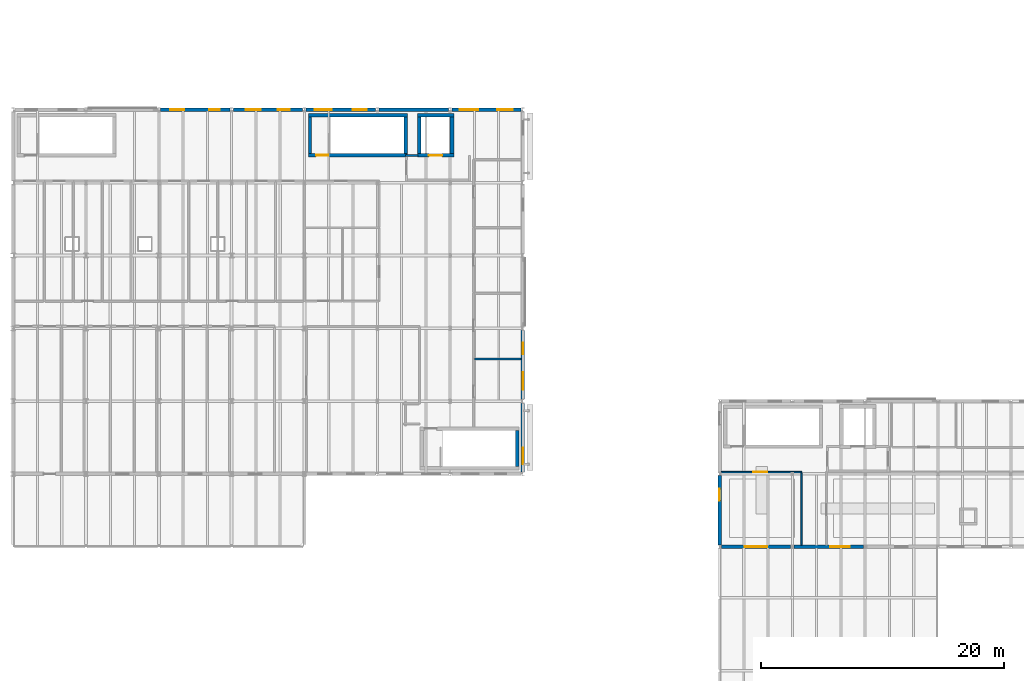
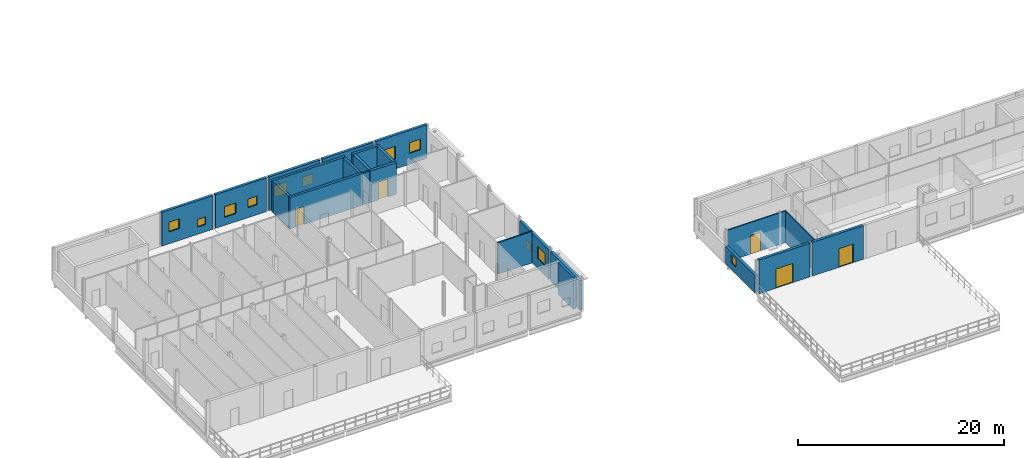
# One storey, part 33 of 45: 23 walls, 12 windows, 5 doors, 17 openings.
"""IFC4 building model written with IfcOpenShell, lengths in metres."""

import ifcopenshell
import ifcopenshell.guid

model = None  # the IFC model being written
_history = None  # IfcOwnerHistory: only IFC2X3 demands one
_inside = {}  # id of a spatial element -> (the spatial element, [elements in it])
_under = {}  # id of a project, library or spatial element -> (it, [spatial elements below it])
_declared = {}  # id of a project -> (the project, [libraries it declares])
_typed = {}  # id of a type object -> (the type object, [elements of that type])
_made_of = {}  # id of a material, layer set ... -> (it, [elements and type objects made of it])


def new_model(schema):
    """Start an empty IFC model of exactly this schema.

    Asked for "IFC4X3", IfcOpenShell would pick the latest addendum, in which some entities
    have other attributes; the version numbers below select the first issue.
    IFC2X3 requires an IfcOwnerHistory on every rooted entity: one is made here for all.
    """
    global model, _history
    if schema == "IFC4X3":
        model = ifcopenshell.file(schema_version=(4, 3, 0, 0))
    else:
        model = ifcopenshell.file(schema=schema)
    _inside.clear()
    _under.clear()
    _declared.clear()
    _typed.clear()
    _made_of.clear()
    _history = None
    if model.schema == "IFC2X3":
        org = make("IfcOrganization", Name="unknown")
        user = make(
            "IfcPersonAndOrganization",
            ThePerson=make("IfcPerson", FamilyName="unknown"),
            TheOrganization=org,
        )
        app = make(
            "IfcApplication",
            ApplicationDeveloper=org,
            Version="unknown",
            ApplicationFullName="unknown",
            ApplicationIdentifier="unknown",
        )
        _history = make(
            "IfcOwnerHistory",
            OwningUser=user,
            OwningApplication=app,
            ChangeAction="ADDED",
            CreationDate=0,
        )
    return model


def make(cls, **values):
    """One entity of the class cls with the attributes given. An attribute that is None is left unset."""
    return model.create_entity(
        cls, **{name: value for name, value in values.items() if value is not None}
    )


def rooted(cls, **values):
    """An entity with a GlobalId (a new one), such as an element, a storey or a relation."""
    return make(cls, GlobalId=ifcopenshell.guid.new(), OwnerHistory=_history, **values)


def si_unit(unit_type, name, prefix=None):
    """IfcSIUnit, for example si_unit("LENGTHUNIT", "METRE", prefix="MILLI")."""
    return make("IfcSIUnit", UnitType=unit_type, Prefix=prefix, Name=name)


def assignment(units):
    """IfcUnitAssignment: the units of a project."""
    return None if units is None else make("IfcUnitAssignment", Units=units)


def point(xyz):
    """IfcCartesianPoint."""
    return None if xyz is None else make("IfcCartesianPoint", Coordinates=xyz)


def direction(xyz):
    """IfcDirection."""
    return None if xyz is None else make("IfcDirection", DirectionRatios=xyz)


def frame(location, z_axis=None, x_axis=None):
    """IfcAxis2Placement3D, a coordinate frame: its origin and axes. An axis left out is left unset."""
    return make(
        "IfcAxis2Placement3D",
        Location=point(location),
        Axis=direction(z_axis),
        RefDirection=direction(x_axis),
    )


def frame_2d(location, x_axis=None):
    """IfcAxis2Placement2D, a coordinate frame in the plane: its origin and x axis."""
    return make(
        "IfcAxis2Placement2D", Location=point(location), RefDirection=direction(x_axis)
    )


def origin():
    """The frame at (0, 0, 0) with its axes left unset."""
    return frame((0.0, 0.0, 0.0))


def place(relative_to, where):
    """IfcLocalPlacement: puts the frame where relative to a parent placement (None: the world)."""
    return make(
        "IfcLocalPlacement", PlacementRelTo=relative_to, RelativePlacement=where
    )


def context(
    kind, dimensions, precision=None, world=None, true_north=None, identifier=None
):
    """IfcGeometricRepresentationContext, for example the 3D "Model" context."""
    return make(
        "IfcGeometricRepresentationContext",
        ContextIdentifier=identifier,
        ContextType=kind,
        CoordinateSpaceDimension=dimensions,
        Precision=precision,
        WorldCoordinateSystem=world,
        TrueNorth=true_north,
    )


def subcontext(parent, identifier, kind, view, scale=None):
    """IfcGeometricRepresentationSubContext, for example "Body" below "Model"."""
    return make(
        "IfcGeometricRepresentationSubContext",
        ContextIdentifier=identifier,
        ContextType=kind,
        ParentContext=parent,
        TargetScale=scale,
        TargetView=view,
    )


def project(units=None, contexts=None):
    """IfcProject with its units and contexts."""
    return rooted(
        "IfcProject",
        Name="project",
        RepresentationContexts=contexts,
        UnitsInContext=assignment(units),
    )


def spatial(cls, under=None, at=None, **own):
    """A site, building, storey or space (cls), placed at a placement, below another one or the project."""
    s = rooted(cls, ObjectPlacement=at, **own)
    if under is not None:
        _under.setdefault(under.id(), (under, []))[1].append(s)
    return s


def profile(cls, at=None, kind="AREA", **sizes):
    """A parametric profile (cls). Its sizes go by their IFC names, for example OverallWidth=200.0."""
    return make(cls, ProfileType=kind, Position=at, **sizes)


def rectangle(**sizes):
    """IfcRectangleProfileDef."""
    return profile("IfcRectangleProfileDef", **sizes)


def extrude(swept, where, along, depth):
    """IfcExtrudedAreaSolid: the profile swept, set in the frame where, extruded along a direction by depth."""
    return make(
        "IfcExtrudedAreaSolid",
        SweptArea=swept,
        Position=where,
        ExtrudedDirection=direction(along),
        Depth=depth,
    )


def shape(context_of_items, identifier, shape_type, items):
    """IfcShapeRepresentation: the items that make up one representation, for example the "Body"."""
    return make(
        "IfcShapeRepresentation",
        ContextOfItems=context_of_items,
        RepresentationIdentifier=identifier,
        RepresentationType=shape_type,
        Items=items,
    )


def material(Name=None, Category=None):
    """IfcMaterial."""
    return make("IfcMaterial", Name=Name, Category=Category)


def layer(
    of_material, thickness, ventilated=None, Name=None, Category=None, Priority=None
):
    """IfcMaterialLayer: one layer of a wall or slab, of a material (None: an air gap)."""
    return make(
        "IfcMaterialLayer",
        Material=of_material,
        LayerThickness=thickness,
        IsVentilated=ventilated,
        Name=Name,
        Category=Category,
        Priority=Priority,
    )


def layer_set(layers, Name=None):
    """IfcMaterialLayerSet."""
    return make("IfcMaterialLayerSet", MaterialLayers=layers, LayerSetName=Name)


def made_of(thing, what):
    """Note that an element or type object is made of a material, layer set ...; save() writes the relation."""
    if what is not None:
        _made_of.setdefault(what.id(), (what, []))[1].append(thing)
    return thing


def type_object(cls, material=None, **own):
    """A type object (cls), such as IfcWallType, which elements share."""
    return made_of(rooted(cls, **own), material)


def element(
    cls,
    number,
    at=None,
    inside=None,
    cuts=None,
    type_object=None,
    material=None,
    context=None,
    identifier="Body",
    shape_type=None,
    held_by="IfcProductDefinitionShape",
    body=None,
    shapes=None,
    **own,
):
    """One element of the class cls, such as IfcWall. Its Tag is "e" and its number.

    at: its placement. inside: the storey or other place that contains it. cuts: it is an
    opening in that element (IfcRelVoidsElement). A single representation is given by context,
    identifier, shape_type and body (its items); several are given by shapes. held_by: the class
    of the entity that holds the representations. save() writes the other relations.
    """
    e = rooted(cls, Tag="e%d" % number, ObjectPlacement=at, **own)
    if body is not None:
        shapes = [shape(context, identifier, shape_type, body)]
    if shapes is not None:
        e.Representation = make(held_by, Representations=shapes)
    if inside is not None:
        _inside.setdefault(inside.id(), (inside, []))[1].append(e)
    if cuts is not None:
        rooted(
            "IfcRelVoidsElement", RelatingBuildingElement=cuts, RelatedOpeningElement=e
        )
    if type_object is not None:
        _typed.setdefault(type_object.id(), (type_object, []))[1].append(e)
    return made_of(e, material)


def fill(opening, filler):
    """IfcRelFillsElement: the door or window that sits in an opening."""
    return rooted(
        "IfcRelFillsElement",
        RelatingOpeningElement=opening,
        RelatedBuildingElement=filler,
    )


def aggregate(whole, parts):
    """IfcRelAggregates: a whole, such as a stair, and the parts it consists of."""
    return rooted("IfcRelAggregates", RelatingObject=whole, RelatedObjects=parts)


def save(model, path):
    """Write the relations noted so far, then the file.

    IfcRelAggregates (storeys below a building ...), IfcRelContainedInSpatialStructure (elements
    in a storey), IfcRelDefinesByType, IfcRelAssociatesMaterial and IfcRelDeclares: one each for
    every whole, place, type object, material and project.
    """
    for whole, parts in _under.values():
        aggregate(whole, parts)
    for where, things in _inside.values():
        rooted(
            "IfcRelContainedInSpatialStructure",
            RelatedElements=things,
            RelatingStructure=where,
        )
    for kind, things in _typed.values():
        rooted("IfcRelDefinesByType", RelatedObjects=things, RelatingType=kind)
    for what, things in _made_of.values():
        rooted("IfcRelAssociatesMaterial", RelatedObjects=things, RelatingMaterial=what)
    for by, libraries in _declared.values():
        rooted("IfcRelDeclares", RelatingContext=by, RelatedDefinitions=libraries)
    model.write(path)


model = new_model("IFC4")

# Units and contexts
model_context = context("Model", 3, precision=1e-05, world=origin(), true_north=direction((0.0, 1.0)))
body_context = subcontext(model_context, "Body", "Model", "MODEL_VIEW")
ifc_project = project(units=[si_unit("LENGTHUNIT", "METRE"), si_unit("AREAUNIT", "SQUARE_METRE"), si_unit("VOLUMEUNIT", "CUBIC_METRE"), si_unit("PLANEANGLEUNIT", "RADIAN"), si_unit("MASSUNIT", "GRAM", prefix="KILO")], contexts=[model_context])

# Site, building, storey
site_placement = place(None, origin())
site = spatial("IfcSite", under=ifc_project, at=site_placement, CompositionType="ELEMENT")
building_placement = place(site_placement, origin())
building = spatial("IfcBuilding", under=site, at=building_placement, Name="Siltcreek Boulevard Central Fire Station", CompositionType="ELEMENT")
storey_placement = place(building_placement, frame((0.0, 0.0, 10.0)))
storey = spatial("IfcBuildingStorey", under=building, at=storey_placement, Name="L03", CompositionType="ELEMENT", Elevation=10.0)

# Wall, opening, door
ifc_material_1 = material(Name="Concrete C40/50", Category="concrete")
ifc_layer_1 = layer(ifc_material_1, 0.280029296875, Name="Concrete C40/50")
ifc_layer_set_1 = layer_set([ifc_layer_1], Name="Concrete C40/50")
wall_type_1 = type_object("IfcWallType", Name="CW_SHEAR280", PredefinedType="SHEAR", material=ifc_layer_set_1)
wall_1_placement = place(storey_placement, frame((90.320068359375, 50.260009765625, 0.0), z_axis=(0.0, 0.0, 1.0), x_axis=(1.0, 0.0, 0.0)))
wall_1 = element("IfcWall", 1, at=wall_1_placement, inside=storey, type_object=wall_type_1, Name="L03 ST-V2A stair enclosure south shear wall", PredefinedType="SHEAR", context=body_context, shape_type="SweptSolid", body=[
    extrude(rectangle(XDim=8.159912109375, YDim=0.280029296875, at=frame_2d((4.080078125, 0.0))), origin(), (0.0, 0.0, 1.0), 3.75),
])
opening_1_placement = place(wall_1_placement, frame((0.64990234375, 0.0, 0.0)))
opening_1 = element("IfcOpeningElement", 2, at=opening_1_placement, cuts=wall_1, Name="Opening SD-011", PredefinedType="OPENING", context=body_context, shape_type="SweptSolid", body=[
    extrude(rectangle(XDim=0.97998046875, YDim=2.14990234375, at=frame_2d((0.489990234375, 1.074951171875))), frame((0.0, 0.14990234375, 0.0), z_axis=(0.0, -1.0, 0.0), x_axis=(1.0, 0.0, 0.0)), (0.0, 0.0, 1.0), 0.300048828125),
])
ifc_material_2 = material(Name="Hollow metal 90-min enclosed stair door")
door_type_1 = type_object("IfcDoorType", Name="DR_ST_098X215", OperationType="NOTDEFINED", PredefinedType="DOOR", material=ifc_material_2)
door_1_placement = place(opening_1_placement, origin())
door_1 = element("IfcDoor", 3, at=door_1_placement, inside=storey, type_object=door_type_1, Name="L03 ST-V2A enclosed exit stair door SD-011", OperationType="SINGLE_SWING_RIGHT", OverallHeight=2.14990234375, OverallWidth=0.97998046875, PredefinedType="DOOR", context=body_context, shape_type="SweptSolid", body=[
    extrude(rectangle(XDim=0.97998046875, YDim=2.14990234375, at=frame_2d((0.489990234375, 1.074951171875))), frame((0.0, 0.02490234375, 0.0), z_axis=(0.0, -1.0, 0.0), x_axis=(1.0, 0.0, 0.0)), (0.0, 0.0, 1.0), 0.050048828125),
])
fill(opening_1, door_1)

# Walls
wall_2_placement = place(storey_placement, frame((98.47998046875, 53.5400390625, 0.0), z_axis=(0.0, 0.0, 1.0), x_axis=(-1.0, 0.0, 0.0)))
element("IfcWall", 4, at=wall_2_placement, inside=storey, type_object=wall_type_1, Name="L03 ST-V2A stair enclosure north shear wall", PredefinedType="SHEAR", context=body_context, shape_type="SweptSolid", body=[
    extrude(rectangle(XDim=8.159912109375, YDim=0.280029296875, at=frame_2d((4.080078125, 0.0))), origin(), (0.0, 0.0, 1.0), 3.75),
])
for number, where, z_axis, x_axis, name in (
    (5, (90.4599609375, 53.39990234375, 0.0), (0.0, 0.0, 1.0), (0.0, -1.0, 0.0), "L03 ST-V2A stair enclosure west shear wall"),
    (6, (98.340087890625, 50.39990234375, 0.0), (0.0, 0.0, 1.0), (0.0, 1.0, 0.0), "L03 ST-V2A stair enclosure east shear wall"),
    (7, (107.5400390625, 24.60009765625, 0.0), (0.0, 0.0, 1.0), (0.0, 1.0, 0.0), "L03 ST-V2B stair enclosure east shear wall"),
):
    element("IfcWall", number, at=place(storey_placement, frame(where, z_axis=z_axis, x_axis=x_axis)), inside=storey, type_object=wall_type_1, Name=name, PredefinedType="SHEAR", context=body_context, shape_type="SweptSolid", body=[
        extrude(rectangle(XDim=3.0, YDim=0.280029296875, at=frame_2d((1.5, 0.0))), origin(), (0.0, 0.0, 1.0), 3.75),
    ])

# Wall, opening, door
ifc_layer_2 = layer(ifc_material_1, 0.304931640625, Name="Concrete C40/50")
ifc_layer_set_2 = layer_set([ifc_layer_2], Name="Concrete C40/50")
wall_type_2 = type_object("IfcWallType", Name="CW_SHEAR305", PredefinedType="SHEAR", material=ifc_layer_set_2)
wall_3_placement = place(storey_placement, frame((99.294921875, 50.24755859375, 0.0), z_axis=(0.0, 0.0, 1.0), x_axis=(1.0, 0.0, 0.0)))
wall_3 = element("IfcWall", 8, at=wall_3_placement, inside=storey, type_object=wall_type_2, Name="L03 EL-03 elevator shaft south shear wall", PredefinedType="SHEAR", context=body_context, shape_type="SweptSolid", body=[
    extrude(rectangle(XDim=3.010009765625, YDim=0.304931640625, at=frame_2d((1.5048828125, 0.0))), origin(), (0.0, 0.0, 1.0), 3.75),
])
opening_2_placement = place(wall_3_placement, frame((0.955078125, 0.0, 0.0)))
opening_2 = element("IfcOpeningElement", 9, at=opening_2_placement, cuts=wall_3, Name="Opening LD01", PredefinedType="OPENING", context=body_context, shape_type="SweptSolid", body=[
    extrude(rectangle(XDim=1.10009765625, YDim=2.14990234375, at=frame_2d((0.550048828125, 1.074951171875))), frame((0.0, 0.162353515625, 0.0), z_axis=(0.0, -1.0, 0.0), x_axis=(1.0, 0.0, 0.0)), (0.0, 0.0, 1.0), 0.324951171875),
])
ifc_material_3 = material(Name="Stainless steel fire-rated sliding elevator landing door", Category="steel")
door_type_2 = type_object("IfcDoorType", Name="DR_LD_110X215", OperationType="NOTDEFINED", PredefinedType="DOOR", material=ifc_material_3)
door_2_placement = place(opening_2_placement, origin())
door_2 = element("IfcDoor", 10, at=door_2_placement, inside=storey, type_object=door_type_2, Name="L03 EL-03 elevator sliding landing door LD-15", OperationType="SLIDING_TO_LEFT", OverallHeight=2.14990234375, OverallWidth=1.10009765625, PredefinedType="DOOR", context=body_context, shape_type="SweptSolid", body=[
    extrude(rectangle(XDim=1.10009765625, YDim=2.14990234375, at=frame_2d((0.550048828125, 1.074951171875))), frame((0.0, 0.02490234375, 0.0), z_axis=(0.0, -1.0, 0.0), x_axis=(1.0, 0.0, 0.0)), (0.0, 0.0, 1.0), 0.050048828125),
])
fill(opening_2, door_2)

# Walls
wall_4_placement = place(storey_placement, frame((102.304931640625, 53.552490234375, 0.0), z_axis=(0.0, 0.0, 1.0), x_axis=(-1.0, 0.0, 0.0)))
element("IfcWall", 11, at=wall_4_placement, inside=storey, type_object=wall_type_2, Name="L03 EL-03 elevator shaft north shear wall", PredefinedType="SHEAR", context=body_context, shape_type="SweptSolid", body=[
    extrude(rectangle(XDim=3.010009765625, YDim=0.304931640625, at=frame_2d((1.5048828125, 0.0))), origin(), (0.0, 0.0, 1.0), 3.75),
])
for number, where, z_axis, x_axis, name in (
    (12, (99.447509765625, 53.39990234375, 0.0), (0.0, 0.0, 1.0), (0.0, -1.0, 0.0), "L03 EL-03 elevator shaft west shear wall"),
    (13, (102.152587890625, 50.39990234375, 0.0), (0.0, 0.0, 1.0), (0.0, 1.0, 0.0), "L03 EL-03 elevator shaft east shear wall"),
):
    element("IfcWall", number, at=place(storey_placement, frame(where, z_axis=z_axis, x_axis=x_axis)), inside=storey, type_object=wall_type_2, Name=name, PredefinedType="SHEAR", context=body_context, shape_type="SweptSolid", body=[
        extrude(rectangle(XDim=3.0, YDim=0.304931640625, at=frame_2d((1.5, 0.0))), origin(), (0.0, 0.0, 1.0), 3.75),
    ])

# Wall, openings, windows
ifc_material_4 = material(Name="White ribbed aluminum spandrel wall", Category="aluminium")
ifc_layer_3 = layer(ifc_material_4, 0.2900390625, Name="White ribbed aluminum spandrel wall")
ifc_layer_set_3 = layer_set([ifc_layer_3], Name="White ribbed aluminum spandrel wall")
wall_type_3 = type_object("IfcWallType", Name="EW_METAL290", PredefinedType="STANDARD", material=ifc_layer_set_3)
wall_5_placement = place(storey_placement, frame((83.85498046875, 54.0, 0.0), z_axis=(0.0, 0.0, 1.0), x_axis=(-1.0, 0.0, 0.0)))
wall_5 = element("IfcWall", 14, at=wall_5_placement, inside=storey, type_object=wall_type_3, Name="L03 V2 exterior insulated rainscreen wall WL-EXT-L03-0090", PredefinedType="STANDARD", context=body_context, shape_type="SweptSolid", body=[
    extrude(rectangle(XDim=5.7099609375, YDim=0.2900390625, at=frame_2d((2.85498046875, 0.0))), origin(), (0.0, 0.0, 1.0), 4.0),
])
opening_3_placement = place(wall_5_placement, frame((0.81689453125, 0.0, 0.860107421875)))
opening_3 = element("IfcOpeningElement", 15, at=opening_3_placement, cuts=wall_5, Name="Opening WN37", PredefinedType="OPENING", context=body_context, shape_type="SweptSolid", body=[
    extrude(rectangle(XDim=0.89990234375, YDim=0.89990234375, at=frame_2d((0.449951171875, 0.449951171875))), frame((0.0, 0.155029296875, 0.0), z_axis=(0.0, -1.0, 0.0), x_axis=(1.0, 0.0, 0.0)), (0.0, 0.0, 1.0), 0.31005859375),
])
opening_4_placement = place(wall_5_placement, frame((3.777099609375, 0.0, 1.419921875)))
opening_4 = element("IfcOpeningElement", 16, at=opening_4_placement, cuts=wall_5, Name="Opening WN39", PredefinedType="OPENING", context=body_context, shape_type="SweptSolid", body=[
    extrude(rectangle(XDim=1.139892578125, YDim=1.139892578125, at=frame_2d((0.56982421875, 0.56982421875))), frame((0.0, 0.155029296875, 0.0), z_axis=(0.0, -1.0, 0.0), x_axis=(1.0, 0.0, 0.0)), (0.0, 0.0, 1.0), 0.31005859375),
])
ifc_material_5 = material(Name="Thermally broken aluminum frame with low-E insulated glass", Category="aluminium")
window_type_1 = type_object("IfcWindowType", Name="WN_SQ_090X090", PartitioningType="SINGLE_PANEL", PredefinedType="WINDOW", material=ifc_material_5)
window_1_placement = place(opening_3_placement, origin())
window_1 = element("IfcWindow", 17, at=window_1_placement, inside=storey, type_object=window_type_1, Name="L03 V2 square exterior window WN-0069", OverallHeight=0.89990234375, OverallWidth=0.89990234375, PartitioningType="SINGLE_PANEL", PredefinedType="WINDOW", context=body_context, shape_type="SweptSolid", body=[
    extrude(rectangle(XDim=0.89990234375, YDim=0.89990234375, at=frame_2d((0.449951171875, 0.449951171875))), frame((0.0, 0.030029296875, 0.0), z_axis=(0.0, -1.0, 0.0), x_axis=(1.0, 0.0, 0.0)), (0.0, 0.0, 1.0), 0.06005859375),
])
fill(opening_3, window_1)
window_type_2 = type_object("IfcWindowType", Name="WN_SQ_114X114", PartitioningType="SINGLE_PANEL", PredefinedType="WINDOW", material=ifc_material_5)
window_2_placement = place(opening_4_placement, origin())
window_2 = element("IfcWindow", 18, at=window_2_placement, inside=storey, type_object=window_type_2, Name="L03 V2 square exterior window WN-0070", OverallHeight=1.139892578125, OverallWidth=1.139892578125, PartitioningType="SINGLE_PANEL", PredefinedType="WINDOW", context=body_context, shape_type="SweptSolid", body=[
    extrude(rectangle(XDim=1.139892578125, YDim=1.139892578125, at=frame_2d((0.56982421875, 0.56982421875))), frame((0.0, 0.030029296875, 0.0), z_axis=(0.0, -1.0, 0.0), x_axis=(1.0, 0.0, 0.0)), (0.0, 0.0, 1.0), 0.06005859375),
])
fill(opening_4, window_2)

wall_6_placement = place(storey_placement, frame((89.85498046875, 54.0, 0.0), z_axis=(0.0, 0.0, 1.0), x_axis=(-1.0, 0.0, 0.0)))
wall_6 = element("IfcWall", 19, at=wall_6_placement, inside=storey, type_object=wall_type_3, Name="L03 V2 exterior insulated rainscreen wall WL-EXT-L03-0091", PredefinedType="STANDARD", context=body_context, shape_type="SweptSolid", body=[
    extrude(rectangle(XDim=5.7099609375, YDim=0.2900390625, at=frame_2d((2.85498046875, 0.0))), origin(), (0.0, 0.0, 1.0), 4.0),
])
opening_5_placement = place(wall_6_placement, frame((1.05322265625, 0.0, 1.179931640625)))
opening_5 = element("IfcOpeningElement", 20, at=opening_5_placement, cuts=wall_6, Name="Opening WN38", PredefinedType="OPENING", context=body_context, shape_type="SweptSolid", body=[
    extrude(rectangle(XDim=1.02001953125, YDim=1.02001953125, at=frame_2d((0.510009765625, 0.510009765625))), frame((0.0, 0.155029296875, 0.0), z_axis=(0.0, -1.0, 0.0), x_axis=(1.0, 0.0, 0.0)), (0.0, 0.0, 1.0), 0.31005859375),
])
opening_6_placement = place(wall_6_placement, frame((3.44140625, 0.0, 0.9599609375)))
opening_6 = element("IfcOpeningElement", 21, at=opening_6_placement, cuts=wall_6, Name="Opening WN40", PredefinedType="OPENING", context=body_context, shape_type="SweptSolid", body=[
    extrude(rectangle(XDim=1.260009765625, YDim=1.260009765625, at=frame_2d((0.6298828125, 0.6298828125))), frame((0.0, 0.155029296875, 0.0), z_axis=(0.0, -1.0, 0.0), x_axis=(1.0, 0.0, 0.0)), (0.0, 0.0, 1.0), 0.31005859375),
])
window_type_3 = type_object("IfcWindowType", Name="WN_SQ_102X102", PartitioningType="SINGLE_PANEL", PredefinedType="WINDOW", material=ifc_material_5)
window_3_placement = place(opening_5_placement, origin())
window_3 = element("IfcWindow", 22, at=window_3_placement, inside=storey, type_object=window_type_3, Name="L03 V2 square exterior window WN-0071", OverallHeight=1.02001953125, OverallWidth=1.02001953125, PartitioningType="SINGLE_PANEL", PredefinedType="WINDOW", context=body_context, shape_type="SweptSolid", body=[
    extrude(rectangle(XDim=1.02001953125, YDim=1.02001953125, at=frame_2d((0.510009765625, 0.510009765625))), frame((0.0, 0.030029296875, 0.0), z_axis=(0.0, -1.0, 0.0), x_axis=(1.0, 0.0, 0.0)), (0.0, 0.0, 1.0), 0.06005859375),
])
fill(opening_5, window_3)
window_type_4 = type_object("IfcWindowType", Name="WN_SQ_126X126", PartitioningType="SINGLE_PANEL", PredefinedType="WINDOW", material=ifc_material_5)
window_4_placement = place(opening_6_placement, origin())
window_4 = element("IfcWindow", 23, at=window_4_placement, inside=storey, type_object=window_type_4, Name="L03 V2 square exterior window WN-0072", OverallHeight=1.260009765625, OverallWidth=1.260009765625, PartitioningType="SINGLE_PANEL", PredefinedType="WINDOW", context=body_context, shape_type="SweptSolid", body=[
    extrude(rectangle(XDim=1.260009765625, YDim=1.260009765625, at=frame_2d((0.6298828125, 0.6298828125))), frame((0.0, 0.030029296875, 0.0), z_axis=(0.0, -1.0, 0.0), x_axis=(1.0, 0.0, 0.0)), (0.0, 0.0, 1.0), 0.06005859375),
])
fill(opening_6, window_4)

wall_7_placement = place(storey_placement, frame((95.85498046875, 54.0, 0.0), z_axis=(0.0, 0.0, 1.0), x_axis=(-1.0, 0.0, 0.0)))
wall_7 = element("IfcWall", 24, at=wall_7_placement, inside=storey, type_object=wall_type_3, Name="L03 V2 exterior insulated rainscreen wall WL-EXT-L03-0092", PredefinedType="STANDARD", context=body_context, shape_type="SweptSolid", body=[
    extrude(rectangle(XDim=5.7099609375, YDim=0.2900390625, at=frame_2d((2.85498046875, 0.0))), origin(), (0.0, 0.0, 1.0), 4.0),
])
opening_7_placement = place(wall_7_placement, frame((0.73291015625, 0.0, 1.419921875)))
opening_7 = element("IfcOpeningElement", 25, at=opening_7_placement, cuts=wall_7, Name="Opening WN39", PredefinedType="OPENING", context=body_context, shape_type="SweptSolid", body=[
    extrude(rectangle(XDim=1.139892578125, YDim=1.139892578125, at=frame_2d((0.56982421875, 0.56982421875))), frame((0.0, 0.155029296875, 0.0), z_axis=(0.0, -1.0, 0.0), x_axis=(1.0, 0.0, 0.0)), (0.0, 0.0, 1.0), 0.31005859375),
])
opening_8_placement = place(wall_7_placement, frame((3.62109375, 0.0, 1.280029296875)))
opening_8 = element("IfcOpeningElement", 26, at=opening_8_placement, cuts=wall_7, Name="Opening WN41", PredefinedType="OPENING", context=body_context, shape_type="SweptSolid", body=[
    extrude(rectangle(XDim=1.3798828125, YDim=1.3798828125, at=frame_2d((0.68994140625, 0.68994140625))), frame((0.0, 0.155029296875, 0.0), z_axis=(0.0, -1.0, 0.0), x_axis=(1.0, 0.0, 0.0)), (0.0, 0.0, 1.0), 0.31005859375),
])
window_5_placement = place(opening_7_placement, origin())
window_5 = element("IfcWindow", 27, at=window_5_placement, inside=storey, type_object=window_type_2, Name="L03 V2 square exterior window WN-0073", OverallHeight=1.139892578125, OverallWidth=1.139892578125, PartitioningType="SINGLE_PANEL", PredefinedType="WINDOW", context=body_context, shape_type="SweptSolid", body=[
    extrude(rectangle(XDim=1.139892578125, YDim=1.139892578125, at=frame_2d((0.56982421875, 0.56982421875))), frame((0.0, 0.030029296875, 0.0), z_axis=(0.0, -1.0, 0.0), x_axis=(1.0, 0.0, 0.0)), (0.0, 0.0, 1.0), 0.06005859375),
])
fill(opening_7, window_5)
window_type_5 = type_object("IfcWindowType", Name="WN_SQ_138X138", PartitioningType="SINGLE_PANEL", PredefinedType="WINDOW", material=ifc_material_5)
window_6_placement = place(opening_8_placement, origin())
window_6 = element("IfcWindow", 28, at=window_6_placement, inside=storey, type_object=window_type_5, Name="L03 V2 square exterior window WN-0074", OverallHeight=1.3798828125, OverallWidth=1.3798828125, PartitioningType="SINGLE_PANEL", PredefinedType="WINDOW", context=body_context, shape_type="SweptSolid", body=[
    extrude(rectangle(XDim=1.3798828125, YDim=1.3798828125, at=frame_2d((0.68994140625, 0.68994140625))), frame((0.0, 0.030029296875, 0.0), z_axis=(0.0, -1.0, 0.0), x_axis=(1.0, 0.0, 0.0)), (0.0, 0.0, 1.0), 0.06005859375),
])
fill(opening_8, window_6)

# Wall
wall_8_placement = place(storey_placement, frame((101.85498046875, 54.0, 0.0), z_axis=(0.0, 0.0, 1.0), x_axis=(-1.0, 0.0, 0.0)))
element("IfcWall", 29, at=wall_8_placement, inside=storey, type_object=wall_type_3, Name="L03 V2 exterior insulated rainscreen wall WL-EXT-L03-0093", PredefinedType="STANDARD", context=body_context, shape_type="SweptSolid", body=[
    extrude(rectangle(XDim=5.7099609375, YDim=0.2900390625, at=frame_2d((2.85498046875, 0.0))), origin(), (0.0, 0.0, 1.0), 4.0),
])

# Wall, openings, windows
wall_9_placement = place(storey_placement, frame((107.85498046875, 54.0, 0.0), z_axis=(0.0, 0.0, 1.0), x_axis=(-1.0, 0.0, 0.0)))
wall_9 = element("IfcWall", 30, at=wall_9_placement, inside=storey, type_object=wall_type_3, Name="L03 V2 exterior insulated rainscreen wall WL-EXT-L03-0094", PredefinedType="STANDARD", context=body_context, shape_type="SweptSolid", body=[
    extrude(rectangle(XDim=5.7099609375, YDim=0.2900390625, at=frame_2d((2.85498046875, 0.0))), origin(), (0.0, 0.0, 1.0), 4.0),
])
opening_9_placement = place(wall_9_placement, frame((0.69091796875, 0.0, 1.280029296875)))
opening_9 = element("IfcOpeningElement", 31, at=opening_9_placement, cuts=wall_9, Name="Opening WN40", PredefinedType="OPENING", context=body_context, shape_type="SweptSolid", body=[
    extrude(rectangle(XDim=1.260009765625, YDim=1.260009765625, at=frame_2d((0.6298828125, 0.6298828125))), frame((0.0, 0.155029296875, 0.0), z_axis=(0.0, -1.0, 0.0), x_axis=(1.0, 0.0, 0.0)), (0.0, 0.0, 1.0), 0.31005859375),
])
opening_10_placement = place(wall_9_placement, frame((3.543212890625, 0.0, 1.179931640625)))
opening_10 = element("IfcOpeningElement", 32, at=opening_10_placement, cuts=wall_9, Name="Opening WN42", PredefinedType="OPENING", context=body_context, shape_type="SweptSolid", body=[
    extrude(rectangle(XDim=1.5, YDim=1.5, at=frame_2d((0.75, 0.75))), frame((0.0, 0.155029296875, 0.0), z_axis=(0.0, -1.0, 0.0), x_axis=(1.0, 0.0, 0.0)), (0.0, 0.0, 1.0), 0.31005859375),
])
window_7_placement = place(opening_9_placement, origin())
window_7 = element("IfcWindow", 33, at=window_7_placement, inside=storey, type_object=window_type_4, Name="L03 V2 square exterior window WN-0075", OverallHeight=1.260009765625, OverallWidth=1.260009765625, PartitioningType="SINGLE_PANEL", PredefinedType="WINDOW", context=body_context, shape_type="SweptSolid", body=[
    extrude(rectangle(XDim=1.260009765625, YDim=1.260009765625, at=frame_2d((0.6298828125, 0.6298828125))), frame((0.0, 0.030029296875, 0.0), z_axis=(0.0, -1.0, 0.0), x_axis=(1.0, 0.0, 0.0)), (0.0, 0.0, 1.0), 0.06005859375),
])
fill(opening_9, window_7)
window_type_6 = type_object("IfcWindowType", Name="WN_SQ_150X150", PartitioningType="SINGLE_PANEL", PredefinedType="WINDOW", material=ifc_material_5)
window_8_placement = place(opening_10_placement, origin())
window_8 = element("IfcWindow", 34, at=window_8_placement, inside=storey, type_object=window_type_6, Name="L03 V2 square exterior window WN-0076", OverallHeight=1.5, OverallWidth=1.5, PartitioningType="SINGLE_PANEL", PredefinedType="WINDOW", context=body_context, shape_type="SweptSolid", body=[
    extrude(rectangle(XDim=1.5, YDim=1.5, at=frame_2d((0.75, 0.75))), frame((0.0, 0.030029296875, 0.0), z_axis=(0.0, -1.0, 0.0), x_axis=(1.0, 0.0, 0.0)), (0.0, 0.0, 1.0), 0.06005859375),
])
fill(opening_10, window_8)

# Wall, opening, window
wall_10_placement = place(storey_placement, frame((108.0, 24.14501953125, 0.0), z_axis=(0.0, 0.0, 1.0), x_axis=(0.0, 1.0, 0.0)))
wall_10 = element("IfcWall", 35, at=wall_10_placement, inside=storey, type_object=wall_type_3, Name="L03 V2 exterior insulated rainscreen wall WL-EXT-L03-0100", PredefinedType="STANDARD", context=body_context, shape_type="SweptSolid", body=[
    extrude(rectangle(XDim=5.7099609375, YDim=0.2900390625, at=frame_2d((2.85498046875, 0.0))), origin(), (0.0, 0.0, 1.0), 3.506103515625),
])
opening_11_placement = place(wall_10_placement, frame((0.64892578125, 0.0, 0.860107421875)))
opening_11 = element("IfcOpeningElement", 36, at=opening_11_placement, cuts=wall_10, Name="Opening WN41", PredefinedType="OPENING", context=body_context, shape_type="SweptSolid", body=[
    extrude(rectangle(XDim=1.3798828125, YDim=1.3798828125, at=frame_2d((0.68994140625, 0.68994140625))), frame((0.0, 0.155029296875, 0.0), z_axis=(0.0, -1.0, 0.0), x_axis=(1.0, 0.0, 0.0)), (0.0, 0.0, 1.0), 0.31005859375),
])
window_9_placement = place(opening_11_placement, origin())
window_9 = element("IfcWindow", 37, at=window_9_placement, inside=storey, type_object=window_type_5, Name="L03 V2 square exterior window WN-0077", OverallHeight=1.3798828125, OverallWidth=1.3798828125, PartitioningType="SINGLE_PANEL", PredefinedType="WINDOW", context=body_context, shape_type="SweptSolid", body=[
    extrude(rectangle(XDim=1.3798828125, YDim=1.3798828125, at=frame_2d((0.68994140625, 0.68994140625))), frame((0.0, 0.030029296875, 0.0), z_axis=(0.0, -1.0, 0.0), x_axis=(1.0, 0.0, 0.0)), (0.0, 0.0, 1.0), 0.06005859375),
])
fill(opening_11, window_9)

# Wall, openings, windows
wall_11_placement = place(storey_placement, frame((108.0, 30.14501953125, 0.0), z_axis=(0.0, 0.0, 1.0), x_axis=(0.0, 1.0, 0.0)))
wall_11 = element("IfcWall", 38, at=wall_11_placement, inside=storey, type_object=wall_type_3, Name="L03 V2 exterior insulated rainscreen wall WL-EXT-L03-0101", PredefinedType="STANDARD", context=body_context, shape_type="SweptSolid", body=[
    extrude(rectangle(XDim=5.7099609375, YDim=0.2900390625, at=frame_2d((2.85498046875, 0.0))), origin(), (0.0, 0.0, 1.0), 3.506103515625),
])
opening_12_placement = place(wall_11_placement, frame((0.7802734375, 0.0, 1.179931640625)))
opening_12 = element("IfcOpeningElement", 39, at=opening_12_placement, cuts=wall_11, Name="Opening WN03", PredefinedType="OPENING", context=body_context, shape_type="SweptSolid", body=[
    extrude(rectangle(XDim=1.43994140625, YDim=1.43994140625, at=frame_2d((0.719970703125, 0.719970703125))), frame((0.0, 0.155029296875, 0.0), z_axis=(0.0, -1.0, 0.0), x_axis=(1.0, 0.0, 0.0)), (0.0, 0.0, 1.0), 0.31005859375),
])
opening_13_placement = place(wall_11_placement, frame((3.72021484375, 0.0, 0.9599609375)))
opening_13 = element("IfcOpeningElement", 40, at=opening_13_placement, cuts=wall_11, Name="Opening WN06", PredefinedType="OPENING", context=body_context, shape_type="SweptSolid", body=[
    extrude(rectangle(XDim=0.9599609375, YDim=0.9599609375, at=frame_2d((0.47998046875, 0.47998046875))), frame((0.0, 0.155029296875, 0.0), z_axis=(0.0, -1.0, 0.0), x_axis=(1.0, 0.0, 0.0)), (0.0, 0.0, 1.0), 0.31005859375),
])
window_type_7 = type_object("IfcWindowType", Name="WN_SQ_096X096", PartitioningType="SINGLE_PANEL", PredefinedType="WINDOW", material=ifc_material_5)
window_10_placement = place(opening_13_placement, origin())
window_10 = element("IfcWindow", 41, at=window_10_placement, inside=storey, type_object=window_type_7, Name="L03 V2 square exterior window WN-0079", OverallHeight=0.9599609375, OverallWidth=0.9599609375, PartitioningType="SINGLE_PANEL", PredefinedType="WINDOW", context=body_context, shape_type="SweptSolid", body=[
    extrude(rectangle(XDim=0.9599609375, YDim=0.9599609375, at=frame_2d((0.47998046875, 0.47998046875))), frame((0.0, 0.030029296875, 0.0), z_axis=(0.0, -1.0, 0.0), x_axis=(1.0, 0.0, 0.0)), (0.0, 0.0, 1.0), 0.06005859375),
])
fill(opening_13, window_10)
window_type_8 = type_object("IfcWindowType", Name="WN_SQ_144X144", PartitioningType="SINGLE_PANEL", PredefinedType="WINDOW", material=ifc_material_5)
window_11_placement = place(opening_12_placement, origin())
window_11 = element("IfcWindow", 42, at=window_11_placement, inside=storey, type_object=window_type_8, Name="L03 V2 square exterior window WN-0078", OverallHeight=1.43994140625, OverallWidth=1.43994140625, PartitioningType="SINGLE_PANEL", PredefinedType="WINDOW", context=body_context, shape_type="SweptSolid", body=[
    extrude(rectangle(XDim=1.43994140625, YDim=1.43994140625, at=frame_2d((0.719970703125, 0.719970703125))), frame((0.0, 0.030029296875, 0.0), z_axis=(0.0, -1.0, 0.0), x_axis=(1.0, 0.0, 0.0)), (0.0, 0.0, 1.0), 0.06005859375),
])
fill(opening_12, window_11)

# Wall, opening, door
wall_12_placement = place(storey_placement, frame((124.344970703125, 18.0, 0.0), z_axis=(0.0, 0.0, 1.0), x_axis=(1.0, 0.0, 0.0)))
wall_12 = element("IfcWall", 43, at=wall_12_placement, inside=storey, type_object=wall_type_3, Name="L03 V6 exterior insulated rainscreen wall WL-EXT-L03-0485", PredefinedType="STANDARD", context=body_context, shape_type="SweptSolid", body=[
    extrude(rectangle(XDim=5.7099609375, YDim=0.2900390625, at=frame_2d((2.85498046875, 0.0))), origin(), (0.0, 0.0, 1.0), 4.0),
])
opening_14_placement = place(wall_12_placement, frame((1.9150390625, 0.0, 0.0)))
opening_14 = element("IfcOpeningElement", 44, at=opening_14_placement, cuts=wall_12, Name="Opening TD-045", PredefinedType="OPENING", context=body_context, shape_type="SweptSolid", body=[
    extrude(rectangle(XDim=1.8798828125, YDim=2.280029296875, at=frame_2d((0.93994140625, 1.14013671875))), frame((0.0, 0.155029296875, 0.0), z_axis=(0.0, -1.0, 0.0), x_axis=(1.0, 0.0, 0.0)), (0.0, 0.0, 1.0), 0.31005859375),
])
ifc_material_6 = material(Name="Thermally broken glazed terrace double door")
door_type_3 = type_object("IfcDoorType", Name="DR_TER_188X228", OperationType="NOTDEFINED", PredefinedType="DOOR", material=ifc_material_6)
door_3_placement = place(opening_14_placement, frame((1.8798828125, 0.0, 0.0), z_axis=(0.0, 0.0, 1.0), x_axis=(-1.0, 0.0, 0.0)))
door_3 = element("IfcDoor", 45, at=door_3_placement, inside=storey, type_object=door_type_3, Name="L03 V6 outdoor terrace access door TD-045", OperationType="DOUBLE_DOOR_SINGLE_SWING", OverallHeight=2.280029296875, OverallWidth=1.8798828125, PredefinedType="DOOR", context=body_context, shape_type="SweptSolid", body=[
    extrude(rectangle(XDim=1.8798828125, YDim=2.280029296875, at=frame_2d((0.93994140625, 1.14013671875))), frame((0.0, 0.02490234375, 0.0), z_axis=(0.0, -1.0, 0.0), x_axis=(1.0, 0.0, 0.0)), (0.0, 0.0, 1.0), 0.050048828125),
])
fill(opening_14, door_3)

wall_13_placement = place(storey_placement, frame((130.344970703125, 18.0, 0.0), z_axis=(0.0, 0.0, 1.0), x_axis=(1.0, 0.0, 0.0)))
wall_13 = element("IfcWall", 46, at=wall_13_placement, inside=storey, type_object=wall_type_3, Name="L03 V6 exterior insulated rainscreen wall WL-EXT-L03-0486", PredefinedType="STANDARD", context=body_context, shape_type="SweptSolid", body=[
    extrude(rectangle(XDim=5.7099609375, YDim=0.2900390625, at=frame_2d((2.85498046875, 0.0))), origin(), (0.0, 0.0, 1.0), 4.0),
])
opening_15_placement = place(wall_13_placement, frame((2.95751953125, 0.0, 0.0)))
opening_15 = element("IfcOpeningElement", 47, at=opening_15_placement, cuts=wall_13, Name="Opening TD-046", PredefinedType="OPENING", context=body_context, shape_type="SweptSolid", body=[
    extrude(rectangle(XDim=1.6201171875, YDim=2.199951171875, at=frame_2d((0.81005859375, 1.10009765625))), frame((0.0, 0.155029296875, 0.0), z_axis=(0.0, -1.0, 0.0), x_axis=(1.0, 0.0, 0.0)), (0.0, 0.0, 1.0), 0.31005859375),
])
ifc_material_7 = material(Name="Thermally broken glazed terrace pair")
door_type_4 = type_object("IfcDoorType", Name="DR_TER_162X220", OperationType="NOTDEFINED", PredefinedType="DOOR", material=ifc_material_7)
door_4_placement = place(opening_15_placement, frame((1.6201171875, 0.0, 0.0), z_axis=(0.0, 0.0, 1.0), x_axis=(-1.0, 0.0, 0.0)))
door_4 = element("IfcDoor", 48, at=door_4_placement, inside=storey, type_object=door_type_4, Name="L03 V6 outdoor terrace access door TD-046", OperationType="DOUBLE_DOOR_SINGLE_SWING", OverallHeight=2.199951171875, OverallWidth=1.6201171875, PredefinedType="DOOR", context=body_context, shape_type="SweptSolid", body=[
    extrude(rectangle(XDim=1.6201171875, YDim=2.199951171875, at=frame_2d((0.81005859375, 1.10009765625))), frame((0.0, 0.02490234375, 0.0), z_axis=(0.0, -1.0, 0.0), x_axis=(1.0, 0.0, 0.0)), (0.0, 0.0, 1.0), 0.050048828125),
])
fill(opening_15, door_4)

# Wall, opening, window
wall_14_placement = place(storey_placement, frame((124.199951171875, 23.85498046875, 0.0), z_axis=(0.0, 0.0, 1.0), x_axis=(0.0, -1.0, 0.0)))
wall_14 = element("IfcWall", 49, at=wall_14_placement, inside=storey, type_object=wall_type_3, Name="L03 V6 exterior insulated rainscreen wall WL-EXT-L03-0499", PredefinedType="STANDARD", context=body_context, shape_type="SweptSolid", body=[
    extrude(rectangle(XDim=5.7099609375, YDim=0.2900390625, at=frame_2d((2.85498046875, 0.0))), origin(), (0.0, 0.0, 1.0), 2.099609375),
])
opening_16_placement = place(wall_14_placement, frame((1.09228515625, 0.0, 0.820068359375)))
opening_16 = element("IfcOpeningElement", 50, at=opening_16_placement, cuts=wall_14, Name="Opening WN06", PredefinedType="OPENING", context=body_context, shape_type="SweptSolid", body=[
    extrude(rectangle(XDim=0.9599609375, YDim=0.9599609375, at=frame_2d((0.47998046875, 0.47998046875))), frame((0.0, 0.155029296875, 0.0), z_axis=(0.0, -1.0, 0.0), x_axis=(1.0, 0.0, 0.0)), (0.0, 0.0, 1.0), 0.31005859375),
])
window_12_placement = place(opening_16_placement, origin())
window_12 = element("IfcWindow", 51, at=window_12_placement, inside=storey, type_object=window_type_7, Name="L03 V6 square exterior window WN-0240", OverallHeight=0.9599609375, OverallWidth=0.9599609375, PartitioningType="SINGLE_PANEL", PredefinedType="WINDOW", context=body_context, shape_type="SweptSolid", body=[
    extrude(rectangle(XDim=0.9599609375, YDim=0.9599609375, at=frame_2d((0.47998046875, 0.47998046875))), frame((0.0, 0.030029296875, 0.0), z_axis=(0.0, -1.0, 0.0), x_axis=(1.0, 0.0, 0.0)), (0.0, 0.0, 1.0), 0.06005859375),
])
fill(opening_16, window_12)

# Wall
ifc_material_8 = material(Name="STC-55 insulated acoustic crew bunk partition", Category="gypsum")
ifc_layer_4 = layer(ifc_material_8, 0.14501953125, Name="STC-55 insulated acoustic crew bunk partition")
ifc_layer_set_4 = layer_set([ifc_layer_4], Name="STC-55 insulated acoustic crew bunk partition")
wall_type_4 = type_object("IfcWallType", Name="IW_BUNK145", PredefinedType="PARTITIONING", material=ifc_layer_set_4)
wall_15_placement = place(storey_placement, frame((104.012451171875, 33.47998046875, 0.0), z_axis=(0.0, 0.0, 1.0), x_axis=(1.0, 0.0, 0.0)))
element("IfcWall", 52, at=wall_15_placement, inside=storey, type_object=wall_type_4, Name="L03 Duty Officer Bunk Suite 01 partition 0254", PredefinedType="PARTITIONING", context=body_context, shape_type="SweptSolid", body=[
    extrude(rectangle(XDim=3.842529296875, YDim=0.14501953125, at=frame_2d((1.92138671875, 0.0))), origin(), (0.0, 0.0, 1.0), 3.739990234375),
])

# Wall, opening, door
ifc_material_9 = material(Name="Interior steel stud gypsum partition", Category="steel")
ifc_layer_5 = layer(ifc_material_9, 0.125, Name="Interior steel stud gypsum partition")
ifc_layer_set_5 = layer_set([ifc_layer_5], Name="Interior steel stud gypsum partition")
wall_type_5 = type_object("IfcWallType", Name="IW_PART125", PredefinedType="PARTITIONING", material=ifc_layer_set_5)
wall_16_placement = place(storey_placement, frame((124.344970703125, 24.159912109375, 0.0), z_axis=(0.0, 0.0, 1.0), x_axis=(1.0, 0.0, 0.0)))
wall_16 = element("IfcWall", 53, at=wall_16_placement, inside=storey, type_object=wall_type_5, Name="L03 Incident Command Simulation Laboratory partition 0297", PredefinedType="PARTITIONING", context=body_context, shape_type="SweptSolid", body=[
    extrude(rectangle(XDim=6.617431640625, YDim=0.125, at=frame_2d((3.30859375, 0.0))), origin(), (0.0, 0.0, 1.0), 3.739990234375),
])
opening_17_placement = place(wall_16_placement, frame((2.6171875, 0.0, 0.0)))
opening_17 = element("IfcOpeningElement", 54, at=opening_17_placement, cuts=wall_16, Name="Opening ID06", PredefinedType="OPENING", context=body_context, shape_type="SweptSolid", body=[
    extrude(rectangle(XDim=1.159912109375, YDim=2.199951171875, at=frame_2d((0.580078125, 1.10009765625))), frame((0.0, 0.072509765625, 0.0), z_axis=(0.0, -1.0, 0.0), x_axis=(1.0, 0.0, 0.0)), (0.0, 0.0, 1.0), 0.14501953125),
])
ifc_material_10 = material(Name="Glazed simulation laboratory door")
door_type_5 = type_object("IfcDoorType", Name="DR_LAB_116X220", OperationType="NOTDEFINED", PredefinedType="DOOR", material=ifc_material_10)
door_5_placement = place(opening_17_placement, frame((1.159912109375, 0.0, 0.0), z_axis=(0.0, 0.0, 1.0), x_axis=(-1.0, 0.0, 0.0)))
door_5 = element("IfcDoor", 55, at=door_5_placement, inside=storey, type_object=door_type_5, Name="L03 Incident Command Simulation Laboratory door ID-0131", OperationType="SINGLE_SWING_RIGHT", OverallHeight=2.199951171875, OverallWidth=1.159912109375, PredefinedType="DOOR", context=body_context, shape_type="SweptSolid", body=[
    extrude(rectangle(XDim=1.159912109375, YDim=2.199951171875, at=frame_2d((0.580078125, 1.10009765625))), frame((0.0, 0.02490234375, 0.0), z_axis=(0.0, -1.0, 0.0), x_axis=(1.0, 0.0, 0.0)), (0.0, 0.0, 1.0), 0.050048828125),
])
fill(opening_17, door_5)

# Walls
wall_17_placement = place(storey_placement, frame((130.9599609375, 24.097412109375, 0.0), z_axis=(0.0, 0.0, 1.0), x_axis=(0.0, -1.0, 0.0)))
element("IfcWall", 56, at=wall_17_placement, inside=storey, type_object=wall_type_5, Name="L03 Incident Command Simulation Laboratory partition 0298", PredefinedType="PARTITIONING", context=body_context, shape_type="SweptSolid", body=[
    extrude(rectangle(XDim=5.952392578125, YDim=0.125, at=frame_2d((2.97607421875, 0.0))), origin(), (0.0, 0.0, 1.0), 3.739990234375),
])
ifc_material_11 = material(Name="Acoustic smoke-barrier steel stud gypsum wall", Category="steel")
ifc_layer_6 = layer(ifc_material_11, 0.1650390625, Name="Acoustic smoke-barrier steel stud gypsum wall")
ifc_layer_set_6 = layer_set([ifc_layer_6], Name="Acoustic smoke-barrier steel stud gypsum wall")
wall_type_6 = type_object("IfcWallType", Name="IW_SMK165", PredefinedType="PARTITIONING", material=ifc_layer_set_6)
wall_18_placement = place(storey_placement, frame((98.320068359375, 50.24755859375, 0.0), z_axis=(0.0, 0.0, 1.0), x_axis=(1.0, 0.0, 0.0)))
element("IfcWall", 57, at=wall_18_placement, inside=storey, type_object=wall_type_6, Name="L03 EL-03 elevator lobby NW smoke partition", PredefinedType="PARTITIONING", context=body_context, shape_type="SweptSolid", body=[
    extrude(rectangle(XDim=1.014892578125, YDim=0.1650390625, at=frame_2d((0.50732421875, 0.0))), origin(), (0.0, 0.0, 1.0), 3.739990234375),
])

save(model, "model.ifc")
